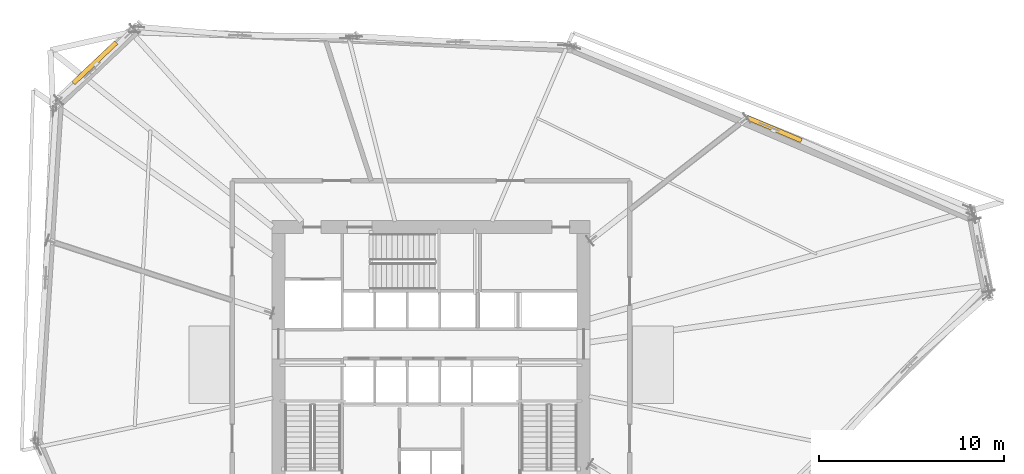
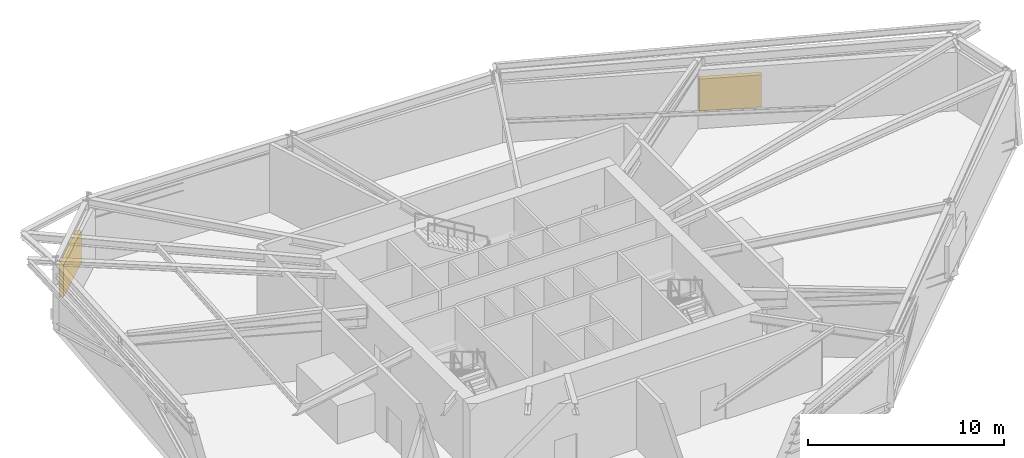
# One storey, part 14 of 15: 2 shading devices.
"""IFC4 building model written with IfcOpenShell, lengths in metres."""

from ifc_helpers import new_model, si_unit, direction, frame, origin, origin_2d, place, context, subcontext, project, spatial, rectangle, extrude, source, transform, mapped, material, type_object, element, save


model = new_model("IFC4")

# Units and contexts
model_context = context("Model", 3, precision=1e-05, world=origin(), true_north=direction((0.0, 1.0)))
body_context = subcontext(model_context, "Body", "Model", "MODEL_VIEW")
ifc_project = project(units=[si_unit("LENGTHUNIT", "METRE"), si_unit("AREAUNIT", "SQUARE_METRE"), si_unit("VOLUMEUNIT", "CUBIC_METRE"), si_unit("PLANEANGLEUNIT", "RADIAN"), si_unit("MASSUNIT", "GRAM", prefix="KILO")], contexts=[model_context])

# Site, building, storey
site_placement = place(None, origin())
site = spatial("IfcSite", under=ifc_project, at=site_placement, CompositionType="ELEMENT")
building_placement = place(site_placement, origin())
building = spatial("IfcBuilding", under=site, at=building_placement, Name="Olszyna Solenne Hotel", CompositionType="ELEMENT")
storey_placement = place(building_placement, frame((0.0, 0.0, 79.89990234375)))
storey = spatial("IfcBuildingStorey", under=building, at=storey_placement, Name="L20", CompositionType="ELEMENT", Elevation=79.89990234375)

# Shading devices
ifc_material = material(Name="Terracotta cladding", Category="masonry")
shading_device_type = type_object("IfcShadingDeviceType", Name="SH-LV1", PredefinedType="JALOUSIE", material=ifc_material)
shared_shape = source(origin(), body_context, "Body", "SweptSolid", [
    extrude(rectangle(XDim=3.199951171875, YDim=0.25, at=origin_2d()), origin(), (0.0, 0.0, 1.0), 2.0),
])
for number, where, z_axis, x_axis, name in (
    (1, (19.818603515625, 42.9345703125, 0.821044921875), (0.0, 0.0, 1.0), (0.726574670971, 0.687087510804, 0.0), "Terracotta acoustic plant louvre bank LV-L20-05"),
    (2, (56.5576171875, 39.355712890625, 0.821044921875), (0.0, 0.0, 1.0), (0.920641188263, -0.390409787882, 0.0), "Terracotta acoustic plant louvre bank LV-L20-07"),
):
    element("IfcShadingDevice", number, at=place(storey_placement, frame(where, z_axis=z_axis, x_axis=x_axis)), inside=storey, type_object=shading_device_type, Name=name, PredefinedType="JALOUSIE", context=body_context, shape_type="MappedRepresentation", body=[
        mapped(shared_shape, transform((0.0, 0.0, 0.0), x_axis=(1.0, 0.0, 0.0), y_axis=(0.0, 1.0, 0.0), z_axis=(0.0, 0.0, 1.0), scale=1.0)),
    ])

save(model, "model.ifc")
